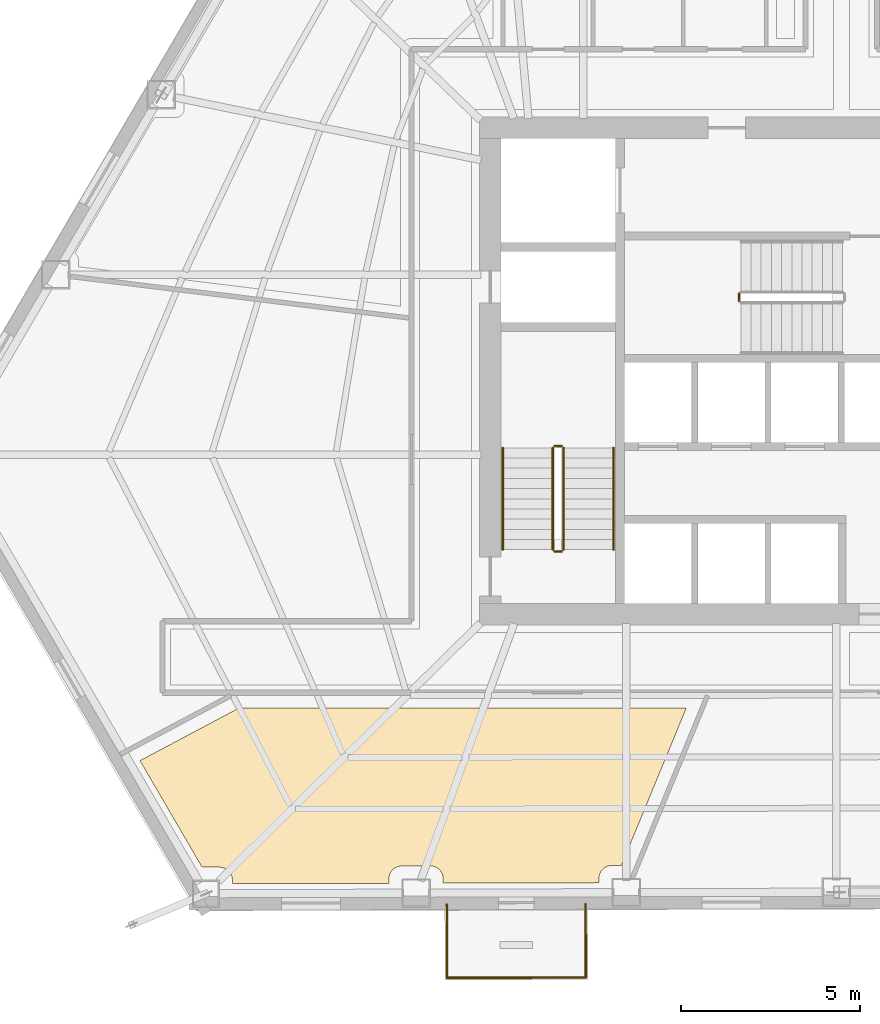
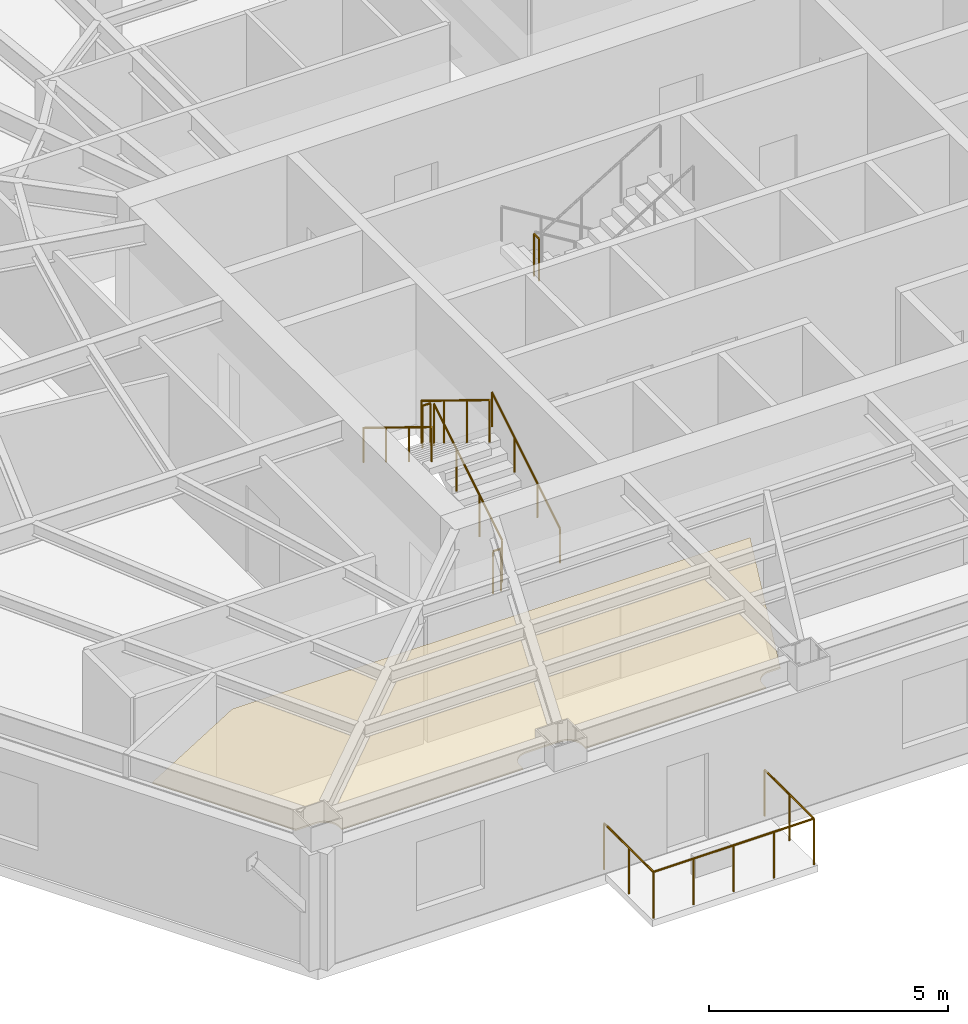
# One storey, part 12 of 15: 10 railings, 1 covering.
"""IFC4 building model written with IfcOpenShell, lengths in metres."""

from ifc_helpers import new_model, si_unit, direction, frame, origin, origin_2d, place, context, subcontext, project, spatial, polyline, circle, outline, extrude, material, layer, layer_set, type_object, element, save


model = new_model("IFC4")

# Units and contexts
model_context = context("Model", 3, precision=1e-05, world=origin(), true_north=direction((0.0, 1.0)))
body_context = subcontext(model_context, "Body", "Model", "MODEL_VIEW")
ifc_project = project(units=[si_unit("LENGTHUNIT", "METRE"), si_unit("AREAUNIT", "SQUARE_METRE"), si_unit("VOLUMEUNIT", "CUBIC_METRE"), si_unit("PLANEANGLEUNIT", "RADIAN"), si_unit("MASSUNIT", "GRAM", prefix="KILO")], contexts=[model_context])

# Site, building, storey
site_placement = place(None, origin())
site = spatial("IfcSite", under=ifc_project, at=site_placement, CompositionType="ELEMENT")
building_placement = place(site_placement, origin())
building = spatial("IfcBuilding", under=site, at=building_placement, Name="Kavelnor Concourse Tower", CompositionType="ELEMENT")
storey_placement = place(building_placement, frame((0.0, 0.0, 63.75)))
storey = spatial("IfcBuildingStorey", under=building, at=storey_placement, Name="L16", CompositionType="ELEMENT", Elevation=63.75)

# Covering
ifc_material_1 = material(Name="Mineral fibre acoustic ceiling tile")
ifc_layer = layer(ifc_material_1, 0.0400390625, Name="Mineral fibre acoustic ceiling tile")
ifc_layer_set = layer_set([ifc_layer], Name="Mineral fibre acoustic ceiling tile")
covering_type = type_object("IfcCoveringType", Name="COV-CEILING-ACOUSTIC", PredefinedType="CEILING", material=ifc_layer_set)
covering_placement = place(storey_placement, frame((0.0, 0.0, 2.75)))
element("IfcCovering", 1, at=covering_placement, inside=storey, type_object=covering_type, Name="L16 Suspended Acoustic Ceiling", PredefinedType="CEILING", context=body_context, shape_type="SweptSolid", body=[
    extrude(outline(polyline([(26.021484375, 6.67919921875), (26.030029296875, 6.680419921875), (26.03857421875, 6.67919921875), (26.07177734375, 6.677490234375), (33.6669921875, 6.677490234375), (31.848876953125, 2.26708984375), (31.576171875, 2.26708984375), (31.54931640625, 2.265869140625), (31.51416015625, 2.260498046875), (31.47998046875, 2.251953125), (31.446533203125, 2.239990234375), (31.41455078125, 2.22509765625), (31.38427734375, 2.206787109375), (31.35595703125, 2.185791015625), (31.32958984375, 2.161865234375), (31.305908203125, 2.1357421875), (31.284912109375, 2.107421875), (31.2666015625, 2.076904296875), (31.25146484375, 2.044921875), (31.239501953125, 2.01171875), (31.23095703125, 1.977294921875), (31.225830078125, 1.9423828125), (31.224609375, 1.915283203125), (31.224609375, 1.785400390625), (26.865966796875, 1.77490234375), (26.865966796875, 1.901123046875), (26.86474609375, 1.92822265625), (26.859619140625, 1.963134765625), (26.850830078125, 1.99755859375), (26.839111328125, 2.03076171875), (26.823974609375, 2.062744140625), (26.8056640625, 2.093017578125), (26.78466796875, 2.12158203125), (26.7607421875, 2.147705078125), (26.734619140625, 2.17138671875), (26.706298828125, 2.192626953125), (26.67578125, 2.210693359375), (26.643798828125, 2.225830078125), (26.610595703125, 2.23779296875), (26.576416015625, 2.246337890625), (26.541259765625, 2.251708984375), (26.514404296875, 2.2529296875), (25.69775390625, 2.2529296875), (25.670654296875, 2.251708984375), (25.6357421875, 2.246337890625), (25.601318359375, 2.23779296875), (25.568115234375, 2.225830078125), (25.5361328125, 2.210693359375), (25.505859375, 2.192626953125), (25.477294921875, 2.17138671875), (25.451171875, 2.147705078125), (25.427490234375, 2.12158203125), (25.40625, 2.093017578125), (25.38818359375, 2.062744140625), (25.373046875, 2.03076171875), (25.361083984375, 1.99755859375), (25.3525390625, 1.963134765625), (25.347412109375, 1.92822265625), (25.345947265625, 1.901123046875), (25.345947265625, 1.77099609375), (20.967529296875, 1.760498046875), (20.967529296875, 1.8671875), (20.96630859375, 1.89404296875), (20.9609375, 1.92919921875), (20.952392578125, 1.96337890625), (20.9404296875, 1.99658203125), (20.92529296875, 2.02880859375), (20.9072265625, 2.05908203125), (20.885986328125, 2.08740234375), (20.8623046875, 2.113525390625), (20.836181640625, 2.137451171875), (20.8076171875, 2.158447265625), (20.77734375, 2.1767578125), (20.745361328125, 2.19189453125), (20.712158203125, 2.20361328125), (20.677734375, 2.21240234375), (20.642822265625, 2.217529296875), (20.61572265625, 2.21875), (20.12060546875, 2.21875), (18.3837890625, 5.199951171875), (21.162841796875, 6.677490234375), (25.98828125, 6.677490234375), (26.021484375, 6.67919921875)])), origin(), (0.0, 0.0, 1.0), 0.0400390625),
])

# Railings
ifc_material_2 = material(Name="Steel Grade 350", Category="steel")
railing_type_1 = type_object("IfcRailingType", Name="RLG-GUARD-1100", PredefinedType="GUARDRAIL", material=ifc_material_2)
railing_1_placement = place(storey_placement, frame((30.22998046875, 11.10009765625, 0.175048828125)))
element("IfcRailing", 2, at=railing_1_placement, inside=storey, type_object=railing_type_1, Name="L16 ST1 stair guard 1", PredefinedType="GUARDRAIL", context=body_context, shape_type="SweptSolid", body=[
    extrude(circle(Radius=0.02392578125, at=origin_2d()), frame((0.0, 0.0, 1.076171875), z_axis=(0.0, 0.852159232446, 0.523282564737), x_axis=(-1.0, 0.0, 0.0)), (0.0, 0.0, 1.0), 3.34423828125),
    extrude(circle(Radius=0.02099609375, at=origin_2d()), origin(), (0.0, 0.0, 1.0), 1.052001953125),
    extrude(circle(Radius=0.02099609375, at=origin_2d()), frame((0.0, 0.949951171875, 0.583251953125)), (0.0, 0.0, 1.0), 1.052001953125),
    extrude(circle(Radius=0.02099609375, at=origin_2d()), frame((0.0, 1.89990234375, 1.166748046875)), (0.0, 0.0, 1.0), 1.052001953125),
    extrude(circle(Radius=0.02099609375, at=origin_2d()), frame((0.0, 2.849853515625, 1.75)), (0.0, 0.0, 1.0), 1.052001953125),
])
railing_2_placement = place(storey_placement, frame((30.179931640625, 14.0, 1.925048828125)))
element("IfcRailing", 3, at=railing_2_placement, inside=storey, type_object=railing_type_1, Name="L16 ST1 stair guard 2", PredefinedType="GUARDRAIL", context=body_context, shape_type="SweptSolid", body=[
    extrude(circle(Radius=0.02392578125, at=origin_2d()), frame((0.0, 0.0, 1.076171875), z_axis=(-1.0, 0.0, 0.0), x_axis=(0.0, -1.0, 0.0)), (0.0, 0.0, 1.0), 0.199951171875),
    extrude(circle(Radius=0.02099609375, at=origin_2d()), origin(), (0.0, 0.0, 1.0), 1.052001953125),
    extrude(circle(Radius=0.02099609375, at=origin_2d()), frame((-0.199951171875, 0.0, 0.0)), (0.0, 0.0, 1.0), 1.052001953125),
])
railing_3_placement = place(storey_placement, frame((29.929931640625, 13.949951171875, 2.10009765625)))
element("IfcRailing", 4, at=railing_3_placement, inside=storey, type_object=railing_type_1, Name="L16 ST1 stair guard 3", PredefinedType="GUARDRAIL", context=body_context, shape_type="SweptSolid", body=[
    extrude(circle(Radius=0.02392578125, at=origin_2d()), frame((0.0, 0.0, 1.076171875), z_axis=(0.0, -0.852159232446, 0.523282564737), x_axis=(1.0, 0.0, 0.0)), (0.0, 0.0, 1.0), 3.34423828125),
    extrude(circle(Radius=0.02099609375, at=origin_2d()), origin(), (0.0, 0.0, 1.0), 1.052001953125),
    extrude(circle(Radius=0.02099609375, at=origin_2d()), frame((0.0, -0.949951171875, 0.583251953125)), (0.0, 0.0, 1.0), 1.052001953125),
    extrude(circle(Radius=0.02099609375, at=origin_2d()), frame((0.0, -1.89990234375, 1.166748046875)), (0.0, 0.0, 1.0), 1.052001953125),
    extrude(circle(Radius=0.02099609375, at=origin_2d()), frame((0.0, -2.849853515625, 1.75)), (0.0, 0.0, 1.0), 1.052001953125),
])
railing_4_placement = place(storey_placement, frame((30.179931640625, 11.050048828125, 0.0)))
element("IfcRailing", 5, at=railing_4_placement, inside=storey, type_object=railing_type_1, Name="L16 ST1 stair guard 4", PredefinedType="GUARDRAIL", context=body_context, shape_type="SweptSolid", body=[
    extrude(circle(Radius=0.02392578125, at=origin_2d()), frame((0.0, 0.0, 1.076171875), z_axis=(-1.0, 0.0, 0.0), x_axis=(0.0, -1.0, 0.0)), (0.0, 0.0, 1.0), 0.199951171875),
    extrude(circle(Radius=0.02099609375, at=origin_2d()), origin(), (0.0, 0.0, 1.0), 1.052001953125),
    extrude(circle(Radius=0.02099609375, at=origin_2d()), frame((-0.199951171875, 0.0, 0.0)), (0.0, 0.0, 1.0), 1.052001953125),
])
railing_5_placement = place(storey_placement, frame((35.139892578125, 18.260009765625, 1.925048828125)))
element("IfcRailing", 6, at=railing_5_placement, inside=storey, type_object=railing_type_1, Name="L16 ST3 stair guard 2", PredefinedType="GUARDRAIL", context=body_context, shape_type="SweptSolid", body=[
    extrude(circle(Radius=0.02392578125, at=origin_2d()), frame((0.0, 0.0, 1.076171875), z_axis=(0.0, -1.0, 0.0), x_axis=(1.0, 0.0, 0.0)), (0.0, 0.0, 1.0), 0.199951171875),
    extrude(circle(Radius=0.02099609375, at=origin_2d()), origin(), (0.0, 0.0, 1.0), 1.052001953125),
    extrude(circle(Radius=0.02099609375, at=origin_2d()), frame((0.0, -0.199951171875, 0.0)), (0.0, 0.0, 1.0), 1.052001953125),
])
railing_type_2 = type_object("IfcRailingType", Name="RLG-HANDRAIL-900", PredefinedType="HANDRAIL", material=ifc_material_2)
railing_6_placement = place(storey_placement, frame((31.6298828125, 11.10009765625, 0.175048828125)))
element("IfcRailing", 7, at=railing_6_placement, inside=storey, type_object=railing_type_2, Name="L16 ST1 stair handrail 1", PredefinedType="HANDRAIL", context=body_context, shape_type="SweptSolid", body=[
    extrude(circle(Radius=0.02392578125, at=origin_2d()), frame((0.0, 0.0, 0.8759765625), z_axis=(0.0, 0.852159232446, 0.523282564737), x_axis=(-1.0, 0.0, 0.0)), (0.0, 0.0, 1.0), 3.34423828125),
    extrude(circle(Radius=0.02099609375, at=origin_2d()), origin(), (0.0, 0.0, 1.0), 0.851806640625),
    extrude(circle(Radius=0.02099609375, at=origin_2d()), frame((0.0, 0.949951171875, 0.583251953125)), (0.0, 0.0, 1.0), 0.851806640625),
    extrude(circle(Radius=0.02099609375, at=origin_2d()), frame((0.0, 1.89990234375, 1.166748046875)), (0.0, 0.0, 1.0), 0.851806640625),
    extrude(circle(Radius=0.02099609375, at=origin_2d()), frame((0.0, 2.849853515625, 1.75)), (0.0, 0.0, 1.0), 0.851806640625),
])
railing_7_placement = place(storey_placement, frame((28.530029296875, 13.949951171875, 2.10009765625)))
element("IfcRailing", 8, at=railing_7_placement, inside=storey, type_object=railing_type_2, Name="L16 ST1 stair handrail 2", PredefinedType="HANDRAIL", context=body_context, shape_type="SweptSolid", body=[
    extrude(circle(Radius=0.02392578125, at=origin_2d()), frame((0.0, 0.0, 0.8759765625), z_axis=(0.0, -0.852159232446, 0.523282564737), x_axis=(1.0, 0.0, 0.0)), (0.0, 0.0, 1.0), 3.34423828125),
    extrude(circle(Radius=0.02099609375, at=origin_2d()), origin(), (0.0, 0.0, 1.0), 0.851806640625),
    extrude(circle(Radius=0.02099609375, at=origin_2d()), frame((0.0, -0.949951171875, 0.583251953125)), (0.0, 0.0, 1.0), 0.851806640625),
    extrude(circle(Radius=0.02099609375, at=origin_2d()), frame((0.0, -1.89990234375, 1.166748046875)), (0.0, 0.0, 1.0), 0.851806640625),
    extrude(circle(Radius=0.02099609375, at=origin_2d()), frame((0.0, -2.849853515625, 1.75)), (0.0, 0.0, 1.0), 0.851806640625),
])
ifc_material_3 = material(Name="Architectural bronze-anodised aluminium", Category="aluminium")
railing_type_3 = type_object("IfcRailingType", Name="RLG-TERRACE-1200", PredefinedType="BALUSTRADE", material=ifc_material_3)
railing_8_placement = place(storey_placement, frame((26.967041015625, 1.175048828125, 0.0)))
element("IfcRailing", 9, at=railing_8_placement, inside=storey, type_object=railing_type_3, Name="L16 Tree Balcony 1 Guardrail L", PredefinedType="BALUSTRADE", context=body_context, shape_type="SweptSolid", body=[
    extrude(circle(Radius=0.02392578125, at=origin_2d()), frame((0.0, 0.0, 1.17578125), z_axis=(0.002500885355, -0.999996872781, 0.0), x_axis=(0.999996872781, 0.002500885355, 0.0)), (0.0, 0.0, 1.0), 2.050048828125),
    extrude(circle(Radius=0.02099609375, at=origin_2d()), origin(), (0.0, 0.0, 1.0), 1.15185546875),
    extrude(circle(Radius=0.02099609375, at=origin_2d()), frame((0.00244140625, -1.02490234375, 0.0)), (0.0, 0.0, 1.0), 1.15185546875),
    extrude(circle(Radius=0.02099609375, at=origin_2d()), frame((0.005126953125, -2.050048828125, 0.0)), (0.0, 0.0, 1.0), 1.15185546875),
])
railing_9_placement = place(storey_placement, frame((26.97216796875, -0.875, 0.0)))
element("IfcRailing", 10, at=railing_9_placement, inside=storey, type_object=railing_type_3, Name="L16 Tree Balcony 1 Guardrail F", PredefinedType="BALUSTRADE", context=body_context, shape_type="SweptSolid", body=[
    extrude(circle(Radius=0.02392578125, at=origin_2d()), frame((0.0, 0.0, 1.17578125), z_axis=(0.999996988796, 0.002454057549, 0.0), x_axis=(-0.002454057549, 0.999996988796, 0.0)), (0.0, 0.0, 1.0), 3.8798828125),
    extrude(circle(Radius=0.02099609375, at=origin_2d()), origin(), (0.0, 0.0, 1.0), 1.15185546875),
    extrude(circle(Radius=0.02099609375, at=origin_2d()), frame((0.969970703125, 0.00244140625, 0.0)), (0.0, 0.0, 1.0), 1.15185546875),
    extrude(circle(Radius=0.02099609375, at=origin_2d()), frame((1.93994140625, 0.0048828125, 0.0)), (0.0, 0.0, 1.0), 1.15185546875),
    extrude(circle(Radius=0.02099609375, at=origin_2d()), frame((2.909912109375, 0.007080078125, 0.0)), (0.0, 0.0, 1.0), 1.15185546875),
    extrude(circle(Radius=0.02099609375, at=origin_2d()), frame((3.8798828125, 0.009521484375, 0.0)), (0.0, 0.0, 1.0), 1.15185546875),
])
railing_10_placement = place(storey_placement, frame((30.85205078125, -0.865478515625, 0.0)))
element("IfcRailing", 11, at=railing_10_placement, inside=storey, type_object=railing_type_3, Name="L16 Tree Balcony 1 Guardrail R", PredefinedType="BALUSTRADE", context=body_context, shape_type="SweptSolid", body=[
    extrude(circle(Radius=0.02392578125, at=origin_2d()), frame((0.0, 0.0, 1.17578125), z_axis=(-0.00238207995, 0.999997162844, 0.0), x_axis=(-0.999997162844, -0.00238207995, 0.0)), (0.0, 0.0, 1.0), 2.0498046875),
    extrude(circle(Radius=0.02099609375, at=origin_2d()), origin(), (0.0, 0.0, 1.0), 1.15185546875),
    extrude(circle(Radius=0.02099609375, at=origin_2d()), frame((-0.00244140625, 1.02490234375, 0.0)), (0.0, 0.0, 1.0), 1.15185546875),
    extrude(circle(Radius=0.02099609375, at=origin_2d()), frame((-0.0048828125, 2.0498046875, 0.0)), (0.0, 0.0, 1.0), 1.15185546875),
])

save(model, "model.ifc")
